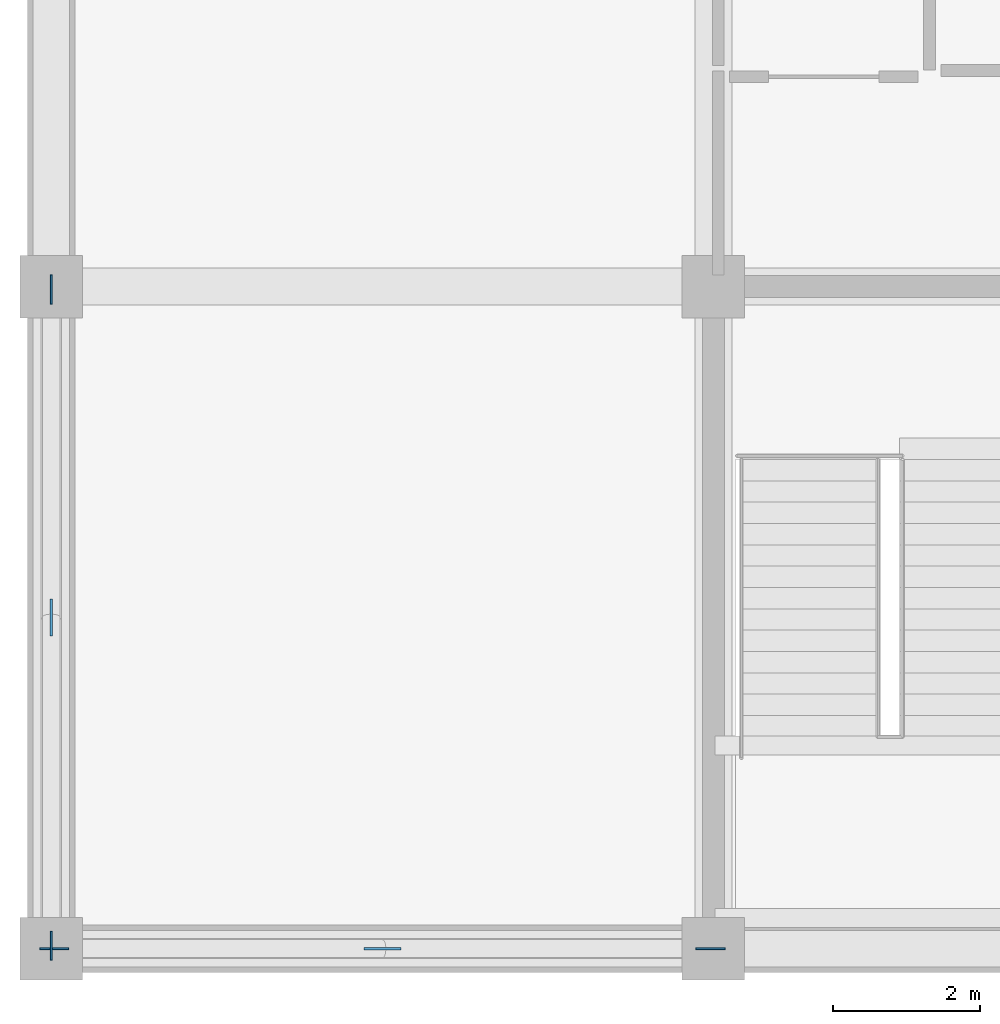
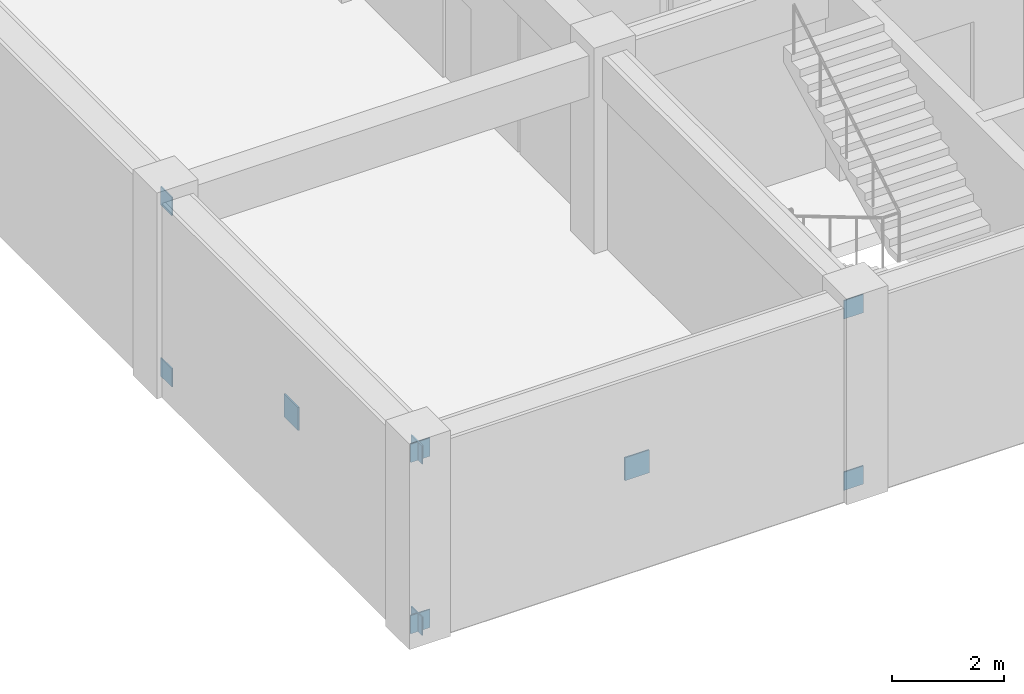
# One storey, part 29 of 35: 10 discrete accessories.
"""IFC4 building model written with IfcOpenShell, lengths in metres."""

from ifc_helpers import new_model, si_unit, direction, frame, origin, origin_2d, place, context, subcontext, project, spatial, rectangle, extrude, material, type_object, element, save


model = new_model("IFC4")

# Units and contexts
model_context = context("Model", 3, precision=1e-05, world=origin(), true_north=direction((0.0, 1.0)))
body_context = subcontext(model_context, "Body", "Model", "MODEL_VIEW")
ifc_project = project(units=[si_unit("LENGTHUNIT", "METRE"), si_unit("AREAUNIT", "SQUARE_METRE"), si_unit("VOLUMEUNIT", "CUBIC_METRE"), si_unit("PLANEANGLEUNIT", "RADIAN"), si_unit("MASSUNIT", "GRAM", prefix="KILO")], contexts=[model_context])

# Site, building, storey
site_placement = place(None, origin())
site = spatial("IfcSite", under=ifc_project, at=site_placement, CompositionType="ELEMENT")
building_placement = place(site_placement, origin())
building = spatial("IfcBuilding", under=site, at=building_placement, Name="Palais des Congres Ocreval", CompositionType="ELEMENT")
storey_placement = place(building_placement, frame((0.0, 0.0, -4.47998046875)))
storey = spatial("IfcBuildingStorey", under=building, at=storey_placement, Name="B1", CompositionType="ELEMENT", Elevation=-4.47998046875)

# Discrete accessories
ifc_material = material(Name="Steel S355", Category="steel")
discrete_accessory_type_1 = type_object("IfcDiscreteAccessoryType", Name="Cast-In Embed Plate PL25 Steel S355", PredefinedType="USERDEFINED", material=ifc_material)
for number, where, z_axis, x_axis, name in (
    (1, (0.0400390625, 0.0, 0.0), (0.0, 0.0, 1.0), (-1.0, 0.0, 0.0), "Cast-In Embed Plate EP01"),
    (2, (8.9599609375, 0.0, 3.72998046875), (0.0, 0.0, 1.0), (-1.0, 0.0, 0.0), "Cast-In Embed Plate EP01"),
    (3, (0.0400390625, 0.0, 3.72998046875), (0.0, 0.0, 1.0), (-1.0, 0.0, 0.0), "Cast-In Embed Plate EP01"),
    (4, (8.9599609375, 0.0, 0.0), (0.0, 0.0, 1.0), (-1.0, 0.0, 0.0), "Cast-In Embed Plate EP01"),
    (5, (0.0, 0.0400390625, 0.0), (0.0, 0.0, 1.0), (0.0, 1.0, 0.0), "Cast-In Embed Plate EP01"),
    (6, (0.0, 8.9599609375, 3.72998046875), (0.0, 0.0, 1.0), (0.0, 1.0, 0.0), "Cast-In Embed Plate EP01"),
    (7, (0.0, 0.0400390625, 3.72998046875), (0.0, 0.0, 1.0), (0.0, 1.0, 0.0), "Cast-In Embed Plate EP01"),
    (8, (0.0, 8.9599609375, 0.0), (0.0, 0.0, 1.0), (0.0, 1.0, 0.0), "Cast-In Embed Plate EP01"),
):
    element("IfcDiscreteAccessory", number, at=place(storey_placement, frame(where, z_axis=z_axis, x_axis=x_axis)), inside=storey, type_object=discrete_accessory_type_1, Name=name, ObjectType="EMBED PLATE", PredefinedType="USERDEFINED", context=body_context, shape_type="SweptSolid", body=[
        extrude(rectangle(XDim=0.39990234375, YDim=0.02490234375, at=origin_2d()), origin(), (0.0, 0.0, 1.0), 0.39990234375),
    ])
discrete_accessory_type_2 = type_object("IfcDiscreteAccessoryType", Name="X-Brace Node Gusset Plate PL30 Steel S355", PredefinedType="USERDEFINED", material=ifc_material)
for number, where, z_axis, x_axis, name in (
    (9, (4.5, 0.0, 1.7900390625), (0.0, 0.0, 1.0), (1.0, 0.0, 0.0), "X-Brace Node Gusset Plate GP01"),
    (10, (0.0, 4.5, 1.7900390625), (0.0, 0.0, 1.0), (0.0, 1.0, 0.0), "X-Brace Node Gusset Plate GP01"),
):
    element("IfcDiscreteAccessory", number, at=place(storey_placement, frame(where, z_axis=z_axis, x_axis=x_axis)), inside=storey, type_object=discrete_accessory_type_2, Name=name, ObjectType="GUSSET PLATE", PredefinedType="USERDEFINED", context=body_context, shape_type="SweptSolid", body=[
        extrude(rectangle(XDim=0.5, YDim=0.030029296875, at=origin_2d()), origin(), (0.0, 0.0, 1.0), 0.5),
    ])

save(model, "model.ifc")
